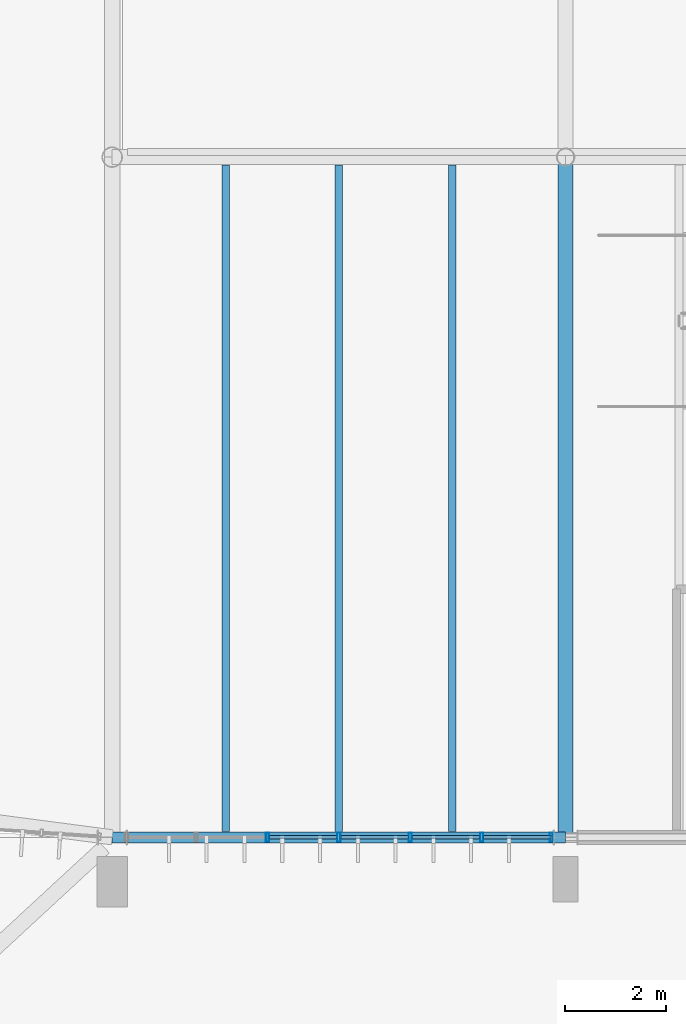
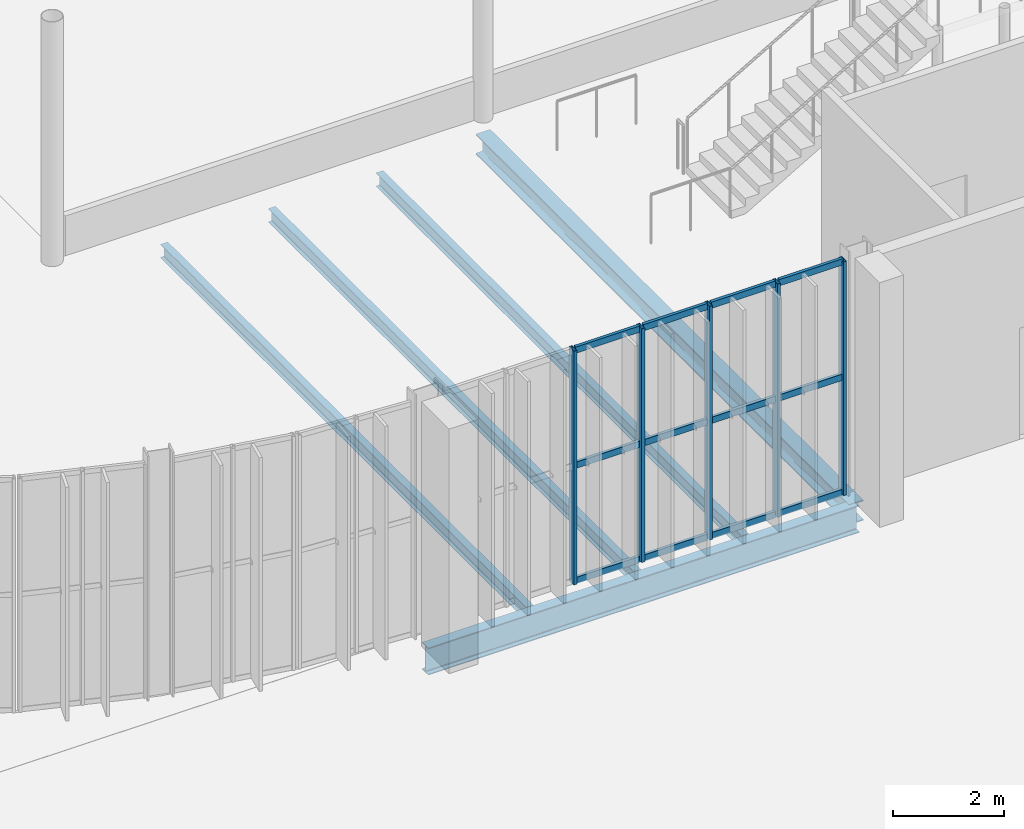
# One storey, part 37 of 158: 17 members, 5 beams, 1 element without a shape of its own.
"""IFC4 building model written with IfcOpenShell, lengths in metres."""

from ifc_helpers import new_model, si_unit, derived_unit, direction, frame, origin, origin_2d, place, context, subcontext, project, spatial, hollow_rectangle, i_section, extrude, material, material_profile, profile_set, type_object, element, aggregate, save


model = new_model("IFC4")

# Units and contexts
model_context = context("Model", 3, precision=1e-05, world=origin(), true_north=direction((0.0, 1.0)))
body_context = subcontext(model_context, "Body", "Model", "MODEL_VIEW")
ifc_project = project(units=[si_unit("LENGTHUNIT", "METRE"), si_unit("AREAUNIT", "SQUARE_METRE"), si_unit("VOLUMEUNIT", "CUBIC_METRE"), si_unit("PLANEANGLEUNIT", "RADIAN"), si_unit("MASSUNIT", "GRAM", prefix="KILO"), si_unit("THERMODYNAMICTEMPERATUREUNIT", "KELVIN"), si_unit("TIMEUNIT", "SECOND"), derived_unit("THERMALTRANSMITTANCEUNIT", [(si_unit("MASSUNIT", "GRAM", prefix="KILO"), 1), (si_unit("THERMODYNAMICTEMPERATUREUNIT", "KELVIN"), -1), (si_unit("TIMEUNIT", "SECOND"), -3)])], contexts=[model_context])

# Site, building, storey
site_placement = place(None, origin())
site = spatial("IfcSite", under=ifc_project, at=site_placement, CompositionType="ELEMENT")
building_placement = place(site_placement, origin())
building = spatial("IfcBuilding", under=site, at=building_placement, Name="Cambertide Market Hall", CompositionType="ELEMENT")
storey_placement = place(building_placement, origin())
storey = spatial("IfcBuildingStorey", under=building, at=storey_placement, Name="L01", CompositionType="ELEMENT", Elevation=0.0)

# Curtain wall, members
ifc_material_1 = material(Name="Marine Anodized Aluminium 6063-T6 AA25", Category="aluminium")
curtain_wall_type = type_object("IfcCurtainWallType", Name="Lantern Straight Lower Curtain Wall", PredefinedType="USERDEFINED", material=ifc_material_1)
curtain_wall_placement = place(storey_placement, origin())
curtain_wall = element("IfcCurtainWall", 1, at=curtain_wall_placement, inside=storey, type_object=curtain_wall_type, Name="Level 1 Curtain Wall CW-V1S-L01-1", ObjectType="UNITIZED CURTAIN WALL", PredefinedType="USERDEFINED")
ifc_material_2 = material(Name="Champagne Marine Anodized Aluminium 6063-T6 AA25", Category="aluminium")
ifc_material_profile_1 = material_profile(ifc_material_2, hollow_rectangle(XDim=0.06494140625, YDim=0.179931640625, WallThickness=0.00390625, at=origin_2d()), Name="ALU MULLION 65x180")
ifc_profile_set_1 = profile_set([ifc_material_profile_1], Name="Champagne Marine Anodized Aluminium 6063-T6 AA25")
member_type_1 = type_object("IfcMemberType", Name="Curtain Wall Mullion ALU MULLION 65x180", PredefinedType="MULLION", material=ifc_profile_set_1)
member_1_placement = place(storey_placement, frame((50.715087890625, 52.0, 0.0), z_axis=(0.0, 0.0, 1.0), x_axis=(-1.0, 0.0, 0.0)))
member_1 = element("IfcMember", 2, at=member_1_placement, type_object=member_type_1, Name="CW-V1S-L01-1 Mullion 1", PredefinedType="MULLION", context=body_context, shape_type="SweptSolid", body=[
    extrude(hollow_rectangle(XDim=0.06494140625, YDim=0.179931640625, WallThickness=0.00390625, at=origin_2d()), origin(), (0.0, 0.0, 1.0), 5.159912109375),
])
member_2_placement = place(storey_placement, frame((49.333251953125, 52.0, 0.0), z_axis=(0.0, 0.0, 1.0), x_axis=(-1.0, 0.0, 0.0)))
member_2 = element("IfcMember", 3, at=member_2_placement, type_object=member_type_1, Name="CW-V1S-L01-1 Mullion 2", PredefinedType="MULLION", context=body_context, shape_type="SweptSolid", body=[
    extrude(hollow_rectangle(XDim=0.06494140625, YDim=0.179931640625, WallThickness=0.00390625, at=origin_2d()), origin(), (0.0, 0.0, 1.0), 5.159912109375),
])
member_3_placement = place(storey_placement, frame((47.916748046875, 52.0, 0.0), z_axis=(0.0, 0.0, 1.0), x_axis=(-1.0, 0.0, 0.0)))
member_3 = element("IfcMember", 4, at=member_3_placement, type_object=member_type_1, Name="CW-V1S-L01-1 Mullion 3", PredefinedType="MULLION", context=body_context, shape_type="SweptSolid", body=[
    extrude(hollow_rectangle(XDim=0.06494140625, YDim=0.179931640625, WallThickness=0.00390625, at=origin_2d()), origin(), (0.0, 0.0, 1.0), 5.159912109375),
])
member_4_placement = place(storey_placement, frame((46.5, 52.0, 0.0), z_axis=(0.0, 0.0, 1.0), x_axis=(-1.0, 0.0, 0.0)))
member_4 = element("IfcMember", 5, at=member_4_placement, type_object=member_type_1, Name="CW-V1S-L01-1 Mullion 4", PredefinedType="MULLION", context=body_context, shape_type="SweptSolid", body=[
    extrude(hollow_rectangle(XDim=0.06494140625, YDim=0.179931640625, WallThickness=0.00390625, at=origin_2d()), origin(), (0.0, 0.0, 1.0), 5.159912109375),
])
member_5_placement = place(storey_placement, frame((45.083251953125, 52.0, 0.0), z_axis=(0.0, 0.0, 1.0), x_axis=(-1.0, 0.0, 0.0)))
member_5 = element("IfcMember", 6, at=member_5_placement, type_object=member_type_1, Name="CW-V1S-L01-1 Mullion 5", PredefinedType="MULLION", context=body_context, shape_type="SweptSolid", body=[
    extrude(hollow_rectangle(XDim=0.06494140625, YDim=0.179931640625, WallThickness=0.00390625, at=origin_2d()), origin(), (0.0, 0.0, 1.0), 5.159912109375),
])
ifc_material_3 = material(Name="Champagne Marine Anodized Aluminium 6063-T6 AA25", Category="aluminium")
ifc_material_profile_2 = material_profile(ifc_material_3, hollow_rectangle(XDim=0.06494140625, YDim=0.139892578125, WallThickness=0.00341796875, at=origin_2d()), Name="ALU TRANSOM 65x140")
ifc_profile_set_2 = profile_set([ifc_material_profile_2], Name="Champagne Marine Anodized Aluminium 6063-T6 AA25")
member_type_2 = type_object("IfcMemberType", Name="Curtain Wall Transom ALU TRANSOM 65x140", PredefinedType="USERDEFINED", material=ifc_profile_set_2)
member_6_placement = place(storey_placement, frame((50.7099609375, 52.0, 0.034912109375), z_axis=(-1.0, 0.0, 0.0), x_axis=(0.0, -1.0, 0.0)))
member_6 = element("IfcMember", 7, at=member_6_placement, type_object=member_type_2, Name="CW-V1S-L01-1 Transom 1-1", ObjectType="TRANSOM", PredefinedType="USERDEFINED", context=body_context, shape_type="SweptSolid", body=[
    extrude(hollow_rectangle(XDim=0.06494140625, YDim=0.139892578125, WallThickness=0.00341796875, at=origin_2d()), origin(), (0.0, 0.0, 1.0), 1.336669921875),
])
member_7_placement = place(storey_placement, frame((49.293212890625, 52.0, 0.034912109375), z_axis=(-1.0, 0.0, 0.0), x_axis=(0.0, -1.0, 0.0)))
member_7 = element("IfcMember", 8, at=member_7_placement, type_object=member_type_2, Name="CW-V1S-L01-1 Transom 1-2", ObjectType="TRANSOM", PredefinedType="USERDEFINED", context=body_context, shape_type="SweptSolid", body=[
    extrude(hollow_rectangle(XDim=0.06494140625, YDim=0.139892578125, WallThickness=0.00341796875, at=origin_2d()), origin(), (0.0, 0.0, 1.0), 1.33642578125),
])
member_8_placement = place(storey_placement, frame((47.876708984375, 52.0, 0.034912109375), z_axis=(-1.0, 0.0, 0.0), x_axis=(0.0, -1.0, 0.0)))
member_8 = element("IfcMember", 9, at=member_8_placement, type_object=member_type_2, Name="CW-V1S-L01-1 Transom 1-3", ObjectType="TRANSOM", PredefinedType="USERDEFINED", context=body_context, shape_type="SweptSolid", body=[
    extrude(hollow_rectangle(XDim=0.06494140625, YDim=0.139892578125, WallThickness=0.00341796875, at=origin_2d()), origin(), (0.0, 0.0, 1.0), 1.336669921875),
])
member_9_placement = place(storey_placement, frame((46.4599609375, 52.0, 0.034912109375), z_axis=(-1.0, 0.0, 0.0), x_axis=(0.0, -1.0, 0.0)))
member_9 = element("IfcMember", 10, at=member_9_placement, type_object=member_type_2, Name="CW-V1S-L01-1 Transom 1-4", ObjectType="TRANSOM", PredefinedType="USERDEFINED", context=body_context, shape_type="SweptSolid", body=[
    extrude(hollow_rectangle(XDim=0.06494140625, YDim=0.139892578125, WallThickness=0.00341796875, at=origin_2d()), origin(), (0.0, 0.0, 1.0), 1.336669921875),
])
member_10_placement = place(storey_placement, frame((50.7099609375, 52.0, 2.580078125), z_axis=(-1.0, 0.0, 0.0), x_axis=(0.0, -1.0, 0.0)))
member_10 = element("IfcMember", 11, at=member_10_placement, type_object=member_type_2, Name="CW-V1S-L01-1 Transom 2-1", ObjectType="TRANSOM", PredefinedType="USERDEFINED", context=body_context, shape_type="SweptSolid", body=[
    extrude(hollow_rectangle(XDim=0.06494140625, YDim=0.139892578125, WallThickness=0.00341796875, at=origin_2d()), origin(), (0.0, 0.0, 1.0), 1.336669921875),
])
member_11_placement = place(storey_placement, frame((49.293212890625, 52.0, 2.580078125), z_axis=(-1.0, 0.0, 0.0), x_axis=(0.0, -1.0, 0.0)))
member_11 = element("IfcMember", 12, at=member_11_placement, type_object=member_type_2, Name="CW-V1S-L01-1 Transom 2-2", ObjectType="TRANSOM", PredefinedType="USERDEFINED", context=body_context, shape_type="SweptSolid", body=[
    extrude(hollow_rectangle(XDim=0.06494140625, YDim=0.139892578125, WallThickness=0.00341796875, at=origin_2d()), origin(), (0.0, 0.0, 1.0), 1.33642578125),
])
member_12_placement = place(storey_placement, frame((47.876708984375, 52.0, 2.580078125), z_axis=(-1.0, 0.0, 0.0), x_axis=(0.0, -1.0, 0.0)))
member_12 = element("IfcMember", 13, at=member_12_placement, type_object=member_type_2, Name="CW-V1S-L01-1 Transom 2-3", ObjectType="TRANSOM", PredefinedType="USERDEFINED", context=body_context, shape_type="SweptSolid", body=[
    extrude(hollow_rectangle(XDim=0.06494140625, YDim=0.139892578125, WallThickness=0.00341796875, at=origin_2d()), origin(), (0.0, 0.0, 1.0), 1.336669921875),
])
member_13_placement = place(storey_placement, frame((46.4599609375, 52.0, 2.580078125), z_axis=(-1.0, 0.0, 0.0), x_axis=(0.0, -1.0, 0.0)))
member_13 = element("IfcMember", 14, at=member_13_placement, type_object=member_type_2, Name="CW-V1S-L01-1 Transom 2-4", ObjectType="TRANSOM", PredefinedType="USERDEFINED", context=body_context, shape_type="SweptSolid", body=[
    extrude(hollow_rectangle(XDim=0.06494140625, YDim=0.139892578125, WallThickness=0.00341796875, at=origin_2d()), origin(), (0.0, 0.0, 1.0), 1.336669921875),
])
member_14_placement = place(storey_placement, frame((50.7099609375, 52.0, 5.125), z_axis=(-1.0, 0.0, 0.0), x_axis=(0.0, -1.0, 0.0)))
member_14 = element("IfcMember", 15, at=member_14_placement, type_object=member_type_2, Name="CW-V1S-L01-1 Transom 3-1", ObjectType="TRANSOM", PredefinedType="USERDEFINED", context=body_context, shape_type="SweptSolid", body=[
    extrude(hollow_rectangle(XDim=0.06494140625, YDim=0.139892578125, WallThickness=0.00341796875, at=origin_2d()), origin(), (0.0, 0.0, 1.0), 1.336669921875),
])
member_15_placement = place(storey_placement, frame((49.293212890625, 52.0, 5.125), z_axis=(-1.0, 0.0, 0.0), x_axis=(0.0, -1.0, 0.0)))
member_15 = element("IfcMember", 16, at=member_15_placement, type_object=member_type_2, Name="CW-V1S-L01-1 Transom 3-2", ObjectType="TRANSOM", PredefinedType="USERDEFINED", context=body_context, shape_type="SweptSolid", body=[
    extrude(hollow_rectangle(XDim=0.06494140625, YDim=0.139892578125, WallThickness=0.00341796875, at=origin_2d()), origin(), (0.0, 0.0, 1.0), 1.33642578125),
])
member_16_placement = place(storey_placement, frame((47.876708984375, 52.0, 5.125), z_axis=(-1.0, 0.0, 0.0), x_axis=(0.0, -1.0, 0.0)))
member_16 = element("IfcMember", 17, at=member_16_placement, type_object=member_type_2, Name="CW-V1S-L01-1 Transom 3-3", ObjectType="TRANSOM", PredefinedType="USERDEFINED", context=body_context, shape_type="SweptSolid", body=[
    extrude(hollow_rectangle(XDim=0.06494140625, YDim=0.139892578125, WallThickness=0.00341796875, at=origin_2d()), origin(), (0.0, 0.0, 1.0), 1.336669921875),
])
member_17_placement = place(storey_placement, frame((46.4599609375, 52.0, 5.125), z_axis=(-1.0, 0.0, 0.0), x_axis=(0.0, -1.0, 0.0)))
member_17 = element("IfcMember", 18, at=member_17_placement, type_object=member_type_2, Name="CW-V1S-L01-1 Transom 3-4", ObjectType="TRANSOM", PredefinedType="USERDEFINED", context=body_context, shape_type="SweptSolid", body=[
    extrude(hollow_rectangle(XDim=0.06494140625, YDim=0.139892578125, WallThickness=0.00341796875, at=origin_2d()), origin(), (0.0, 0.0, 1.0), 1.336669921875),
])
aggregate(curtain_wall, [member_1, member_2, member_3, member_4, member_5, member_6, member_7, member_8, member_9, member_10, member_11, member_12, member_13, member_14, member_15, member_16, member_17])

# Beams
ifc_material_4 = material(Name="Steel S355", Category="steel")
ifc_material_profile_3 = material_profile(ifc_material_4, i_section(OverallWidth=0.300048828125, OverallDepth=0.449951171875, WebThickness=0.013916015625, FlangeThickness=0.02587890625, FilletRadius=0.027099609375, at=origin_2d()), Name="HEB 450")
ifc_profile_set_3 = profile_set([ifc_material_profile_3], Name="Steel S355")
beam_type_1 = type_object("IfcBeamType", Name="Steel Girder HEB 450", PredefinedType="BEAM", material=ifc_profile_set_3)
beam_1_placement = place(storey_placement, frame((51.0, 52.0, -0.534912109375), z_axis=(0.0, 1.0, 0.0), x_axis=(-1.0, 0.0, 0.0)))
element("IfcBeam", 19, at=beam_1_placement, inside=storey, type_object=beam_type_1, Name="Level 1 Beam BM-V1TS-L01-2", PredefinedType="BEAM", context=body_context, shape_type="SweptSolid", body=[
    extrude(i_section(OverallWidth=0.300048828125, OverallDepth=0.449951171875, WebThickness=0.013916015625, FlangeThickness=0.02587890625, FilletRadius=0.027099609375, at=origin_2d()), origin(), (0.0, 0.0, 1.0), 13.5),
])
ifc_material_5 = material(Name="Steel S355", Category="steel")
ifc_material_profile_4 = material_profile(ifc_material_5, i_section(OverallWidth=0.219970703125, OverallDepth=0.60009765625, WebThickness=0.011962890625, FlangeThickness=0.01904296875, FilletRadius=0.02392578125, at=origin_2d()), Name="IPE 600")
ifc_profile_set_4 = profile_set([ifc_material_profile_4], Name="Steel S355")
beam_type_2 = type_object("IfcBeamType", Name="Steel Girder IPE 600", PredefinedType="BEAM", material=ifc_profile_set_4)
beam_2_placement = place(storey_placement, frame((42.0, 52.0, -0.610107421875), z_axis=(1.0, 0.0, 0.0), x_axis=(0.0, 1.0, 0.0)))
element("IfcBeam", 20, at=beam_2_placement, inside=storey, type_object=beam_type_2, Name="Level 1 Beam BM-V1S-L01-1", PredefinedType="BEAM", context=body_context, shape_type="SweptSolid", body=[
    extrude(i_section(OverallWidth=0.219970703125, OverallDepth=0.60009765625, WebThickness=0.011962890625, FlangeThickness=0.01904296875, FilletRadius=0.02392578125, at=origin_2d()), origin(), (0.0, 0.0, 1.0), 9.0),
])
ifc_material_6 = material(Name="Steel S275", Category="steel")
ifc_material_profile_5 = material_profile(ifc_material_6, i_section(OverallWidth=0.14990234375, OverallDepth=0.300048828125, WebThickness=0.007080078125, FlangeThickness=0.0107421875, FilletRadius=0.014892578125, at=origin_2d()), Name="IPE 300")
ifc_profile_set_5 = profile_set([ifc_material_profile_5], Name="Steel S275")
beam_type_3 = type_object("IfcBeamType", Name="Steel Secondary Joist IPE 300", PredefinedType="JOIST", material=ifc_profile_set_5)
for number, where, z_axis, x_axis, name in (
    (21, (44.25, 52.117919921875, -0.4599609375), (0.0, 1.0, 0.0), (-1.0, 0.0, 0.0), "Level 1 Joist JS-V1S-L01-1-1"),
    (22, (46.5, 52.117919921875, -0.4599609375), (0.0, 1.0, 0.0), (-1.0, 0.0, 0.0), "Level 1 Joist JS-V1S-L01-1-2"),
    (23, (48.75, 52.117919921875, -0.4599609375), (0.0, 1.0, 0.0), (-1.0, 0.0, 0.0), "Level 1 Joist JS-V1S-L01-1-3"),
):
    element("IfcBeam", number, at=place(storey_placement, frame(where, z_axis=z_axis, x_axis=x_axis)), inside=storey, type_object=beam_type_3, Name=name, PredefinedType="JOIST", context=body_context, shape_type="SweptSolid", body=[
        extrude(i_section(OverallWidth=0.14990234375, OverallDepth=0.300048828125, WebThickness=0.007080078125, FlangeThickness=0.0107421875, FilletRadius=0.014892578125, at=origin_2d()), origin(), (0.0, 0.0, 1.0), 13.22412109375),
    ])

save(model, "model.ifc")
